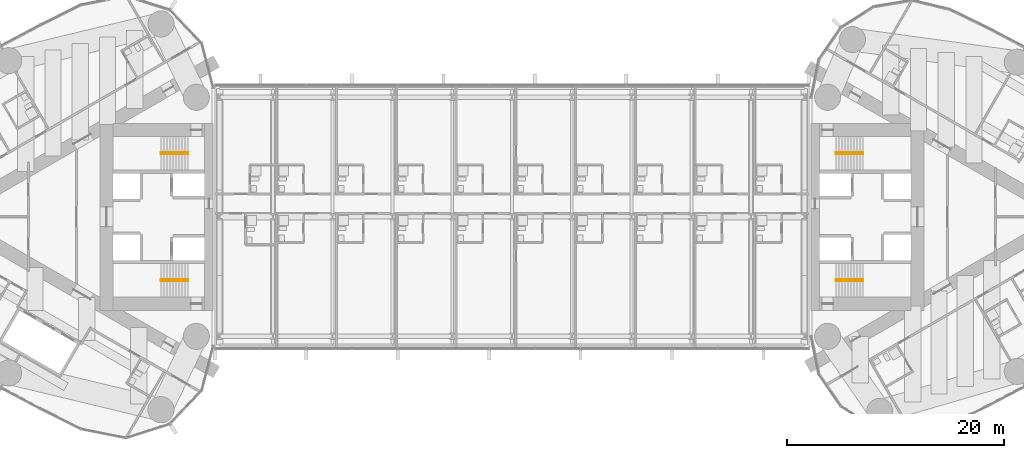
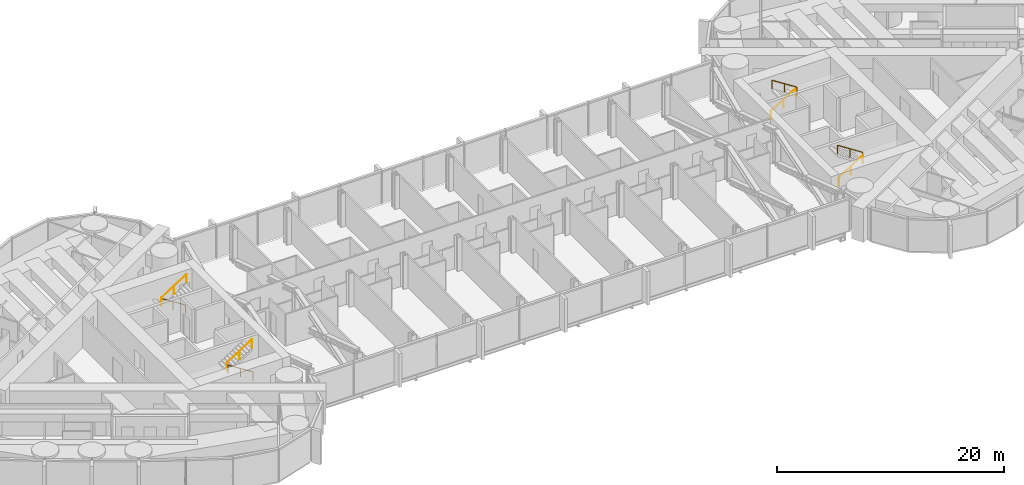
# One storey, part 22 of 23: 8 railings.
"""IFC4 building model written with IfcOpenShell, lengths in metres."""

from ifc_helpers import new_model, si_unit, direction, frame, origin, origin_2d, place, context, subcontext, project, spatial, circle, extrude, material, type_object, element, save


model = new_model("IFC4")

# Units and contexts
model_context = context("Model", 3, precision=1e-05, world=origin(), true_north=direction((0.0, 1.0)))
body_context = subcontext(model_context, "Body", "Model", "MODEL_VIEW")
ifc_project = project(units=[si_unit("LENGTHUNIT", "METRE"), si_unit("AREAUNIT", "SQUARE_METRE"), si_unit("VOLUMEUNIT", "CUBIC_METRE"), si_unit("PLANEANGLEUNIT", "RADIAN"), si_unit("MASSUNIT", "GRAM", prefix="KILO")], contexts=[model_context])

# Site, building, storey
site_placement = place(None, origin())
site = spatial("IfcSite", under=ifc_project, at=site_placement, CompositionType="ELEMENT")
building_placement = place(site_placement, origin())
building = spatial("IfcBuilding", under=site, at=building_placement, Name="Lancet Gate Hotel", CompositionType="ELEMENT")
storey_placement = place(building_placement, frame((0.0, 0.0, 222.5)))
storey = spatial("IfcBuildingStorey", under=building, at=storey_placement, Name="L59", CompositionType="ELEMENT", Elevation=222.5)

# Railings
ifc_material = material(Name="Stainless steel handrail", Category="steel")
railing_type = type_object("IfcRailingType", Name="Stair handrail 900", PredefinedType="HANDRAIL", material=ifc_material)
railing_1_placement = place(storey_placement, frame((-29.800048828125, 5.929931640625, 0.179931640625)))
element("IfcRailing", 1, at=railing_1_placement, inside=storey, type_object=railing_type, Name="ST1 handrail flight 1 L59", PredefinedType="HANDRAIL", context=body_context, shape_type="SweptSolid", body=[
    extrude(circle(Radius=0.02392578125, at=origin_2d()), frame((0.0, 0.0, 0.8759765625), z_axis=(-0.841162588446, 0.0, 0.540782303519), x_axis=(0.0, -1.0, 0.0)), (0.0, 0.0, 1.0), 2.995849609375),
    extrude(circle(Radius=0.02099609375, at=origin_2d()), origin(), (0.0, 0.0, 1.0), 0.851806640625),
    extrude(circle(Radius=0.02099609375, at=origin_2d()), frame((-1.260009765625, 0.0, 0.81005859375)), (0.0, 0.0, 1.0), 0.851806640625),
    extrude(circle(Radius=0.02099609375, at=origin_2d()), frame((-2.52001953125, 0.0, 1.6201171875)), (0.0, 0.0, 1.0), 0.851806640625),
])
railing_2_placement = place(storey_placement, frame((-32.320068359375, 5.77001953125, 1.97998046875)))
element("IfcRailing", 2, at=railing_2_placement, inside=storey, type_object=railing_type, Name="ST1 handrail flight 2 L59", PredefinedType="HANDRAIL", context=body_context, shape_type="SweptSolid", body=[
    extrude(circle(Radius=0.02392578125, at=origin_2d()), frame((0.0, 0.0, 0.8759765625), z_axis=(0.841162588446, 0.0, 0.540782303519), x_axis=(0.0, 1.0, 0.0)), (0.0, 0.0, 1.0), 2.995849609375),
    extrude(circle(Radius=0.02099609375, at=origin_2d()), origin(), (0.0, 0.0, 1.0), 0.851806640625),
    extrude(circle(Radius=0.02099609375, at=origin_2d()), frame((1.260009765625, 0.0, 0.81005859375)), (0.0, 0.0, 1.0), 0.851806640625),
    extrude(circle(Radius=0.02099609375, at=origin_2d()), frame((2.52001953125, 0.0, 1.6201171875)), (0.0, 0.0, 1.0), 0.851806640625),
])
railing_3_placement = place(storey_placement, frame((-29.800048828125, -5.929931640625, 0.179931640625)))
element("IfcRailing", 3, at=railing_3_placement, inside=storey, type_object=railing_type, Name="ST2 handrail flight 1 L59", PredefinedType="HANDRAIL", context=body_context, shape_type="SweptSolid", body=[
    extrude(circle(Radius=0.02392578125, at=origin_2d()), frame((0.0, 0.0, 0.8759765625), z_axis=(-0.841162588446, 0.0, 0.540782303519), x_axis=(0.0, -1.0, 0.0)), (0.0, 0.0, 1.0), 2.995849609375),
    extrude(circle(Radius=0.02099609375, at=origin_2d()), origin(), (0.0, 0.0, 1.0), 0.851806640625),
    extrude(circle(Radius=0.02099609375, at=origin_2d()), frame((-1.260009765625, 0.0, 0.81005859375)), (0.0, 0.0, 1.0), 0.851806640625),
    extrude(circle(Radius=0.02099609375, at=origin_2d()), frame((-2.52001953125, 0.0, 1.6201171875)), (0.0, 0.0, 1.0), 0.851806640625),
])
for number, where, name in (
    (4, (-32.320068359375, -5.77001953125, 1.97998046875), "ST2 handrail flight 2 L59"),
    (5, (29.800048828125, -5.929931640625, 0.179931640625), "ST3 handrail flight 1 L59"),
):
    element("IfcRailing", number, at=place(storey_placement, frame(where)), inside=storey, type_object=railing_type, Name=name, PredefinedType="HANDRAIL", context=body_context, shape_type="SweptSolid", body=[
        extrude(circle(Radius=0.02392578125, at=origin_2d()), frame((0.0, 0.0, 0.8759765625), z_axis=(0.841162588446, 0.0, 0.540782303519), x_axis=(0.0, 1.0, 0.0)), (0.0, 0.0, 1.0), 2.995849609375),
        extrude(circle(Radius=0.02099609375, at=origin_2d()), origin(), (0.0, 0.0, 1.0), 0.851806640625),
        extrude(circle(Radius=0.02099609375, at=origin_2d()), frame((1.260009765625, 0.0, 0.81005859375)), (0.0, 0.0, 1.0), 0.851806640625),
        extrude(circle(Radius=0.02099609375, at=origin_2d()), frame((2.52001953125, 0.0, 1.6201171875)), (0.0, 0.0, 1.0), 0.851806640625),
    ])
railing_4_placement = place(storey_placement, frame((32.320068359375, -5.77001953125, 1.97998046875)))
element("IfcRailing", 6, at=railing_4_placement, inside=storey, type_object=railing_type, Name="ST3 handrail flight 2 L59", PredefinedType="HANDRAIL", context=body_context, shape_type="SweptSolid", body=[
    extrude(circle(Radius=0.02392578125, at=origin_2d()), frame((0.0, 0.0, 0.8759765625), z_axis=(-0.841162588446, 0.0, 0.540782303519), x_axis=(0.0, -1.0, 0.0)), (0.0, 0.0, 1.0), 2.995849609375),
    extrude(circle(Radius=0.02099609375, at=origin_2d()), origin(), (0.0, 0.0, 1.0), 0.851806640625),
    extrude(circle(Radius=0.02099609375, at=origin_2d()), frame((-1.260009765625, 0.0, 0.81005859375)), (0.0, 0.0, 1.0), 0.851806640625),
    extrude(circle(Radius=0.02099609375, at=origin_2d()), frame((-2.52001953125, 0.0, 1.6201171875)), (0.0, 0.0, 1.0), 0.851806640625),
])
railing_5_placement = place(storey_placement, frame((29.800048828125, 5.929931640625, 0.179931640625)))
element("IfcRailing", 7, at=railing_5_placement, inside=storey, type_object=railing_type, Name="ST4 handrail flight 1 L59", PredefinedType="HANDRAIL", context=body_context, shape_type="SweptSolid", body=[
    extrude(circle(Radius=0.02392578125, at=origin_2d()), frame((0.0, 0.0, 0.8759765625), z_axis=(0.841162588446, 0.0, 0.540782303519), x_axis=(0.0, 1.0, 0.0)), (0.0, 0.0, 1.0), 2.995849609375),
    extrude(circle(Radius=0.02099609375, at=origin_2d()), origin(), (0.0, 0.0, 1.0), 0.851806640625),
    extrude(circle(Radius=0.02099609375, at=origin_2d()), frame((1.260009765625, 0.0, 0.81005859375)), (0.0, 0.0, 1.0), 0.851806640625),
    extrude(circle(Radius=0.02099609375, at=origin_2d()), frame((2.52001953125, 0.0, 1.6201171875)), (0.0, 0.0, 1.0), 0.851806640625),
])
railing_6_placement = place(storey_placement, frame((32.320068359375, 5.77001953125, 1.97998046875)))
element("IfcRailing", 8, at=railing_6_placement, inside=storey, type_object=railing_type, Name="ST4 handrail flight 2 L59", PredefinedType="HANDRAIL", context=body_context, shape_type="SweptSolid", body=[
    extrude(circle(Radius=0.02392578125, at=origin_2d()), frame((0.0, 0.0, 0.8759765625), z_axis=(-0.841162588446, 0.0, 0.540782303519), x_axis=(0.0, -1.0, 0.0)), (0.0, 0.0, 1.0), 2.995849609375),
    extrude(circle(Radius=0.02099609375, at=origin_2d()), origin(), (0.0, 0.0, 1.0), 0.851806640625),
    extrude(circle(Radius=0.02099609375, at=origin_2d()), frame((-1.260009765625, 0.0, 0.81005859375)), (0.0, 0.0, 1.0), 0.851806640625),
    extrude(circle(Radius=0.02099609375, at=origin_2d()), frame((-2.52001953125, 0.0, 1.6201171875)), (0.0, 0.0, 1.0), 0.851806640625),
])

save(model, "model.ifc")
